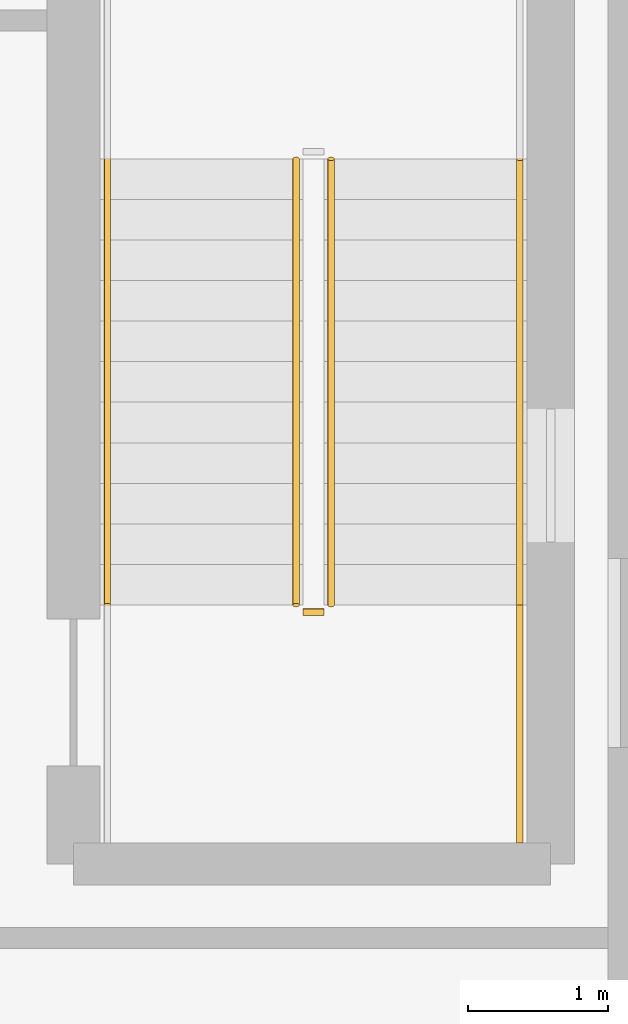
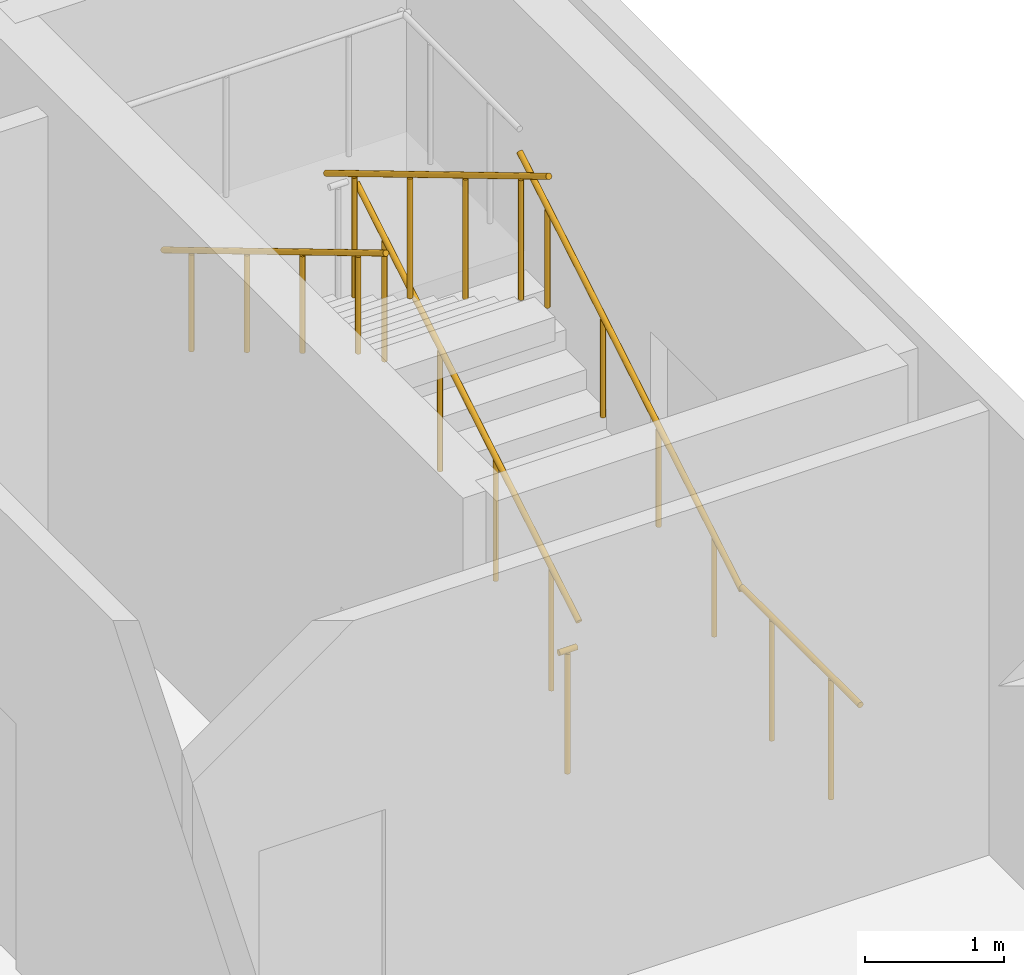
# One storey, part 109 of 114: 6 railings.
"""IFC4 building model written with IfcOpenShell, lengths in metres."""

from ifc_helpers import new_model, si_unit, direction, frame, origin, origin_2d, place, context, subcontext, project, spatial, circle, extrude, material, type_object, element, save


model = new_model("IFC4")

# Units and contexts
model_context = context("Model", 3, precision=1e-05, world=origin(), true_north=direction((0.0, 1.0)))
body_context = subcontext(model_context, "Body", "Model", "MODEL_VIEW")
ifc_project = project(units=[si_unit("LENGTHUNIT", "METRE"), si_unit("AREAUNIT", "SQUARE_METRE"), si_unit("VOLUMEUNIT", "CUBIC_METRE"), si_unit("PLANEANGLEUNIT", "RADIAN"), si_unit("MASSUNIT", "GRAM", prefix="KILO")], contexts=[model_context])

# Site, building, storey
site_placement = place(None, origin())
site = spatial("IfcSite", under=ifc_project, at=site_placement, CompositionType="ELEMENT")
building_placement = place(site_placement, origin())
building = spatial("IfcBuilding", under=site, at=building_placement, Name="Keldmere Railside Commons", CompositionType="ELEMENT")
storey_placement = place(building_placement, origin())
storey = spatial("IfcBuildingStorey", under=building, at=storey_placement, Name="L00", CompositionType="ELEMENT", Elevation=0.0)

# Railings
ifc_material = material(Name="Steel F-24 (S235)", Category="steel")
railing_type_1 = type_object("IfcRailingType", Name="Stair Well Steel Guardrail 1100", PredefinedType="BALUSTRADE", material=ifc_material)
railing_1_placement = place(storey_placement, frame((181.89990234375, 69.199951171875, 0.17333984375)))
element("IfcRailing", 1, at=railing_1_placement, inside=storey, type_object=railing_type_1, Name="L00 ST-A1 stair guard 1", PredefinedType="BALUSTRADE", context=body_context, shape_type="SweptSolid", body=[
    extrude(circle(Radius=0.02392578125, at=origin_2d()), frame((0.0, 0.0, 1.076171875), z_axis=(0.0, 0.858349611844, 0.513065243265), x_axis=(-1.0, 0.0, 0.0)), (0.0, 0.0, 1.0), 3.71630859375),
    extrude(circle(Radius=0.02099609375, at=origin_2d()), frame((0.0, 0.398681640625, 0.23828125)), (0.0, 0.0, 1.0), 1.048095703125),
    extrude(circle(Radius=0.02099609375, at=origin_2d()), frame((0.0, 1.1962890625, 0.715087890625)), (0.0, 0.0, 1.0), 1.048095703125),
    extrude(circle(Radius=0.02099609375, at=origin_2d()), frame((0.0, 1.99365234375, 1.191650390625)), (0.0, 0.0, 1.0), 1.048095703125),
    extrude(circle(Radius=0.02099609375, at=origin_2d()), frame((0.0, 2.791259765625, 1.66845703125)), (0.0, 0.0, 1.0), 1.048095703125),
])
railing_2_placement = place(storey_placement, frame((181.64990234375, 72.389892578125, 2.25341796875)))
element("IfcRailing", 2, at=railing_2_placement, inside=storey, type_object=railing_type_1, Name="L00 ST-A1 stair guard 6", PredefinedType="BALUSTRADE", context=body_context, shape_type="SweptSolid", body=[
    extrude(circle(Radius=0.02392578125, at=origin_2d()), frame((0.0, 0.0, 1.076171875), z_axis=(0.0, -0.858378542117, 0.513016840302), x_axis=(1.0, 0.0, 0.0)), (0.0, 0.0, 1.0), 3.71630859375),
    extrude(circle(Radius=0.02099609375, at=origin_2d()), frame((0.0, -0.398681640625, 0.23828125)), (0.0, 0.0, 1.0), 1.048095703125),
    extrude(circle(Radius=0.02099609375, at=origin_2d()), frame((0.0, -1.1962890625, 0.71484375)), (0.0, 0.0, 1.0), 1.048095703125),
    extrude(circle(Radius=0.02099609375, at=origin_2d()), frame((0.0, -1.99365234375, 1.191650390625)), (0.0, 0.0, 1.0), 1.048095703125),
    extrude(circle(Radius=0.02099609375, at=origin_2d()), frame((0.0, -2.791259765625, 1.668212890625)), (0.0, 0.0, 1.0), 1.048095703125),
])
railing_3_placement = place(storey_placement, frame((181.85009765625, 69.14990234375, 0.0)))
element("IfcRailing", 3, at=railing_3_placement, inside=storey, type_object=railing_type_1, Name="L00 ST-A1 stair guard 7", PredefinedType="BALUSTRADE", context=body_context, shape_type="SweptSolid", body=[
    extrude(circle(Radius=0.02392578125, at=origin_2d()), frame((0.0, 0.0, 1.076171875), z_axis=(-1.0, 0.0, 0.0), x_axis=(0.0, -1.0, 0.0)), (0.0, 0.0, 1.0), 0.150146484375),
    extrude(circle(Radius=0.02099609375, at=origin_2d()), frame((-0.0751953125, 0.0, 0.0)), (0.0, 0.0, 1.0), 1.048095703125),
])
railing_4_placement = place(storey_placement, frame((183.25, 67.5, 0.0)))
element("IfcRailing", 4, at=railing_4_placement, inside=storey, type_object=railing_type_1, Name="L00 ST-A1 stair guard 8", PredefinedType="BALUSTRADE", context=body_context, shape_type="SweptSolid", body=[
    extrude(circle(Radius=0.02392578125, at=origin_2d()), frame((0.0, 0.0, 1.076171875), z_axis=(0.0, 1.0, 0.0), x_axis=(-1.0, 0.0, 0.0)), (0.0, 0.0, 1.0), 1.699951171875),
    extrude(circle(Radius=0.02099609375, at=origin_2d()), frame((0.0, 0.425048828125, 0.0)), (0.0, 0.0, 1.0), 1.048095703125),
    extrude(circle(Radius=0.02099609375, at=origin_2d()), frame((0.0, 1.27490234375, 0.0)), (0.0, 0.0, 1.0), 1.048095703125),
])
railing_type_2 = type_object("IfcRailingType", Name="Wall-Mounted Tubular Steel Handrail 900", PredefinedType="HANDRAIL", material=ifc_material)
railing_5_placement = place(storey_placement, frame((183.25, 69.199951171875, 0.17333984375)))
element("IfcRailing", 5, at=railing_5_placement, inside=storey, type_object=railing_type_2, Name="L00 ST-A1 stair handrail 1", PredefinedType="HANDRAIL", context=body_context, shape_type="SweptSolid", body=[
    extrude(circle(Radius=0.02392578125, at=origin_2d()), frame((0.0, 0.0, 0.8759765625), z_axis=(0.0, 0.858349611844, 0.513065243265), x_axis=(-1.0, 0.0, 0.0)), (0.0, 0.0, 1.0), 3.71630859375),
    extrude(circle(Radius=0.02099609375, at=origin_2d()), frame((0.0, 0.398681640625, 0.23828125)), (0.0, 0.0, 1.0), 0.847900390625),
    extrude(circle(Radius=0.02099609375, at=origin_2d()), frame((0.0, 1.1962890625, 0.715087890625)), (0.0, 0.0, 1.0), 0.847900390625),
    extrude(circle(Radius=0.02099609375, at=origin_2d()), frame((0.0, 1.99365234375, 1.191650390625)), (0.0, 0.0, 1.0), 0.847900390625),
    extrude(circle(Radius=0.02099609375, at=origin_2d()), frame((0.0, 2.791259765625, 1.66845703125)), (0.0, 0.0, 1.0), 0.847900390625),
])
railing_6_placement = place(storey_placement, frame((180.300048828125, 72.389892578125, 2.25341796875)))
element("IfcRailing", 6, at=railing_6_placement, inside=storey, type_object=railing_type_2, Name="L00 ST-A1 stair handrail 2", PredefinedType="HANDRAIL", context=body_context, shape_type="SweptSolid", body=[
    extrude(circle(Radius=0.02392578125, at=origin_2d()), frame((0.0, 0.0, 0.8759765625), z_axis=(0.0, -0.858378542117, 0.513016840302), x_axis=(1.0, 0.0, 0.0)), (0.0, 0.0, 1.0), 3.71630859375),
    extrude(circle(Radius=0.02099609375, at=origin_2d()), frame((0.0, -0.398681640625, 0.23828125)), (0.0, 0.0, 1.0), 0.847900390625),
    extrude(circle(Radius=0.02099609375, at=origin_2d()), frame((0.0, -1.1962890625, 0.71484375)), (0.0, 0.0, 1.0), 0.847900390625),
    extrude(circle(Radius=0.02099609375, at=origin_2d()), frame((0.0, -1.99365234375, 1.191650390625)), (0.0, 0.0, 1.0), 0.847900390625),
    extrude(circle(Radius=0.02099609375, at=origin_2d()), frame((0.0, -2.791259765625, 1.668212890625)), (0.0, 0.0, 1.0), 0.847900390625),
])

save(model, "model.ifc")
